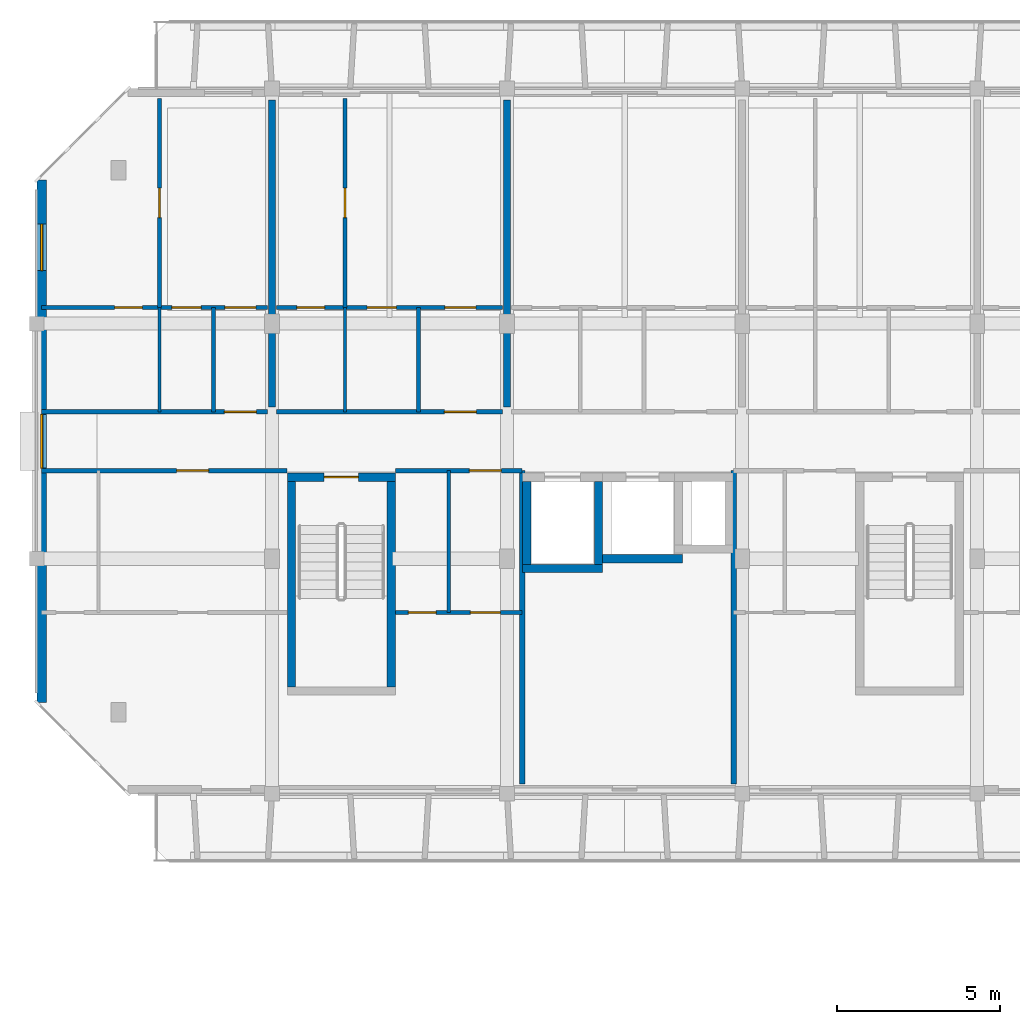
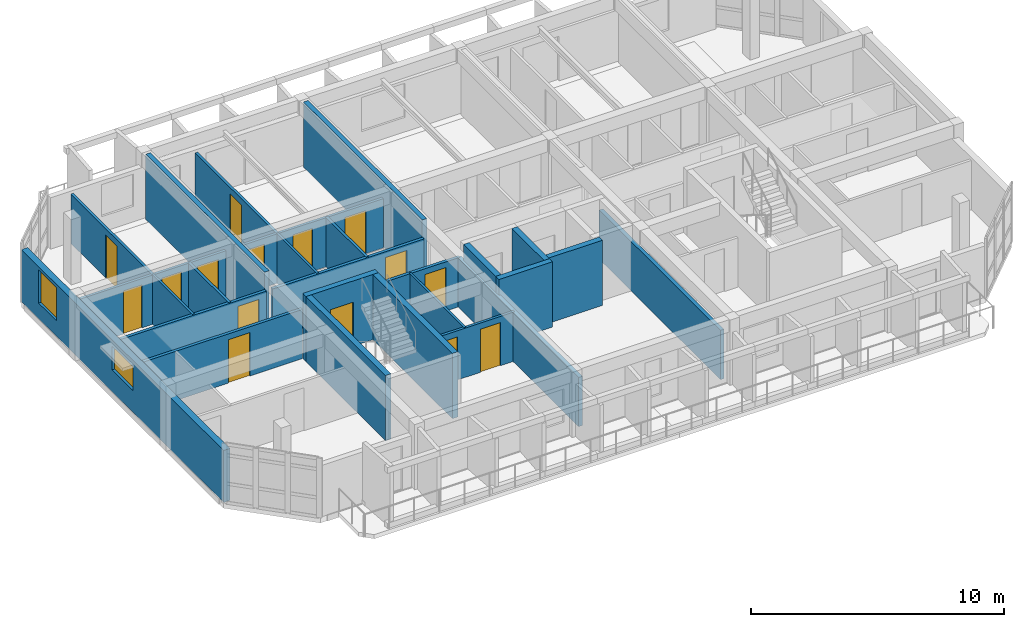
# One storey, part 12 of 22: 26 walls, 15 doors, 2 windows, 17 openings.
"""IFC4 building model written with IfcOpenShell, lengths in metres."""

import ifcopenshell
import ifcopenshell.guid

model = None  # the IFC model being written
_history = None  # IfcOwnerHistory: only IFC2X3 demands one
_inside = {}  # id of a spatial element -> (the spatial element, [elements in it])
_under = {}  # id of a project, library or spatial element -> (it, [spatial elements below it])
_declared = {}  # id of a project -> (the project, [libraries it declares])
_typed = {}  # id of a type object -> (the type object, [elements of that type])
_made_of = {}  # id of a material, layer set ... -> (it, [elements and type objects made of it])


def new_model(schema):
    """Start an empty IFC model of exactly this schema.

    Asked for "IFC4X3", IfcOpenShell would pick the latest addendum, in which some entities
    have other attributes; the version numbers below select the first issue.
    IFC2X3 requires an IfcOwnerHistory on every rooted entity: one is made here for all.
    """
    global model, _history
    if schema == "IFC4X3":
        model = ifcopenshell.file(schema_version=(4, 3, 0, 0))
    else:
        model = ifcopenshell.file(schema=schema)
    _inside.clear()
    _under.clear()
    _declared.clear()
    _typed.clear()
    _made_of.clear()
    _history = None
    if model.schema == "IFC2X3":
        org = make("IfcOrganization", Name="unknown")
        user = make(
            "IfcPersonAndOrganization",
            ThePerson=make("IfcPerson", FamilyName="unknown"),
            TheOrganization=org,
        )
        app = make(
            "IfcApplication",
            ApplicationDeveloper=org,
            Version="unknown",
            ApplicationFullName="unknown",
            ApplicationIdentifier="unknown",
        )
        _history = make(
            "IfcOwnerHistory",
            OwningUser=user,
            OwningApplication=app,
            ChangeAction="ADDED",
            CreationDate=0,
        )
    return model


def make(cls, **values):
    """One entity of the class cls with the attributes given. An attribute that is None is left unset."""
    return model.create_entity(
        cls, **{name: value for name, value in values.items() if value is not None}
    )


def rooted(cls, **values):
    """An entity with a GlobalId (a new one), such as an element, a storey or a relation."""
    return make(cls, GlobalId=ifcopenshell.guid.new(), OwnerHistory=_history, **values)


def si_unit(unit_type, name, prefix=None):
    """IfcSIUnit, for example si_unit("LENGTHUNIT", "METRE", prefix="MILLI")."""
    return make("IfcSIUnit", UnitType=unit_type, Prefix=prefix, Name=name)


def assignment(units):
    """IfcUnitAssignment: the units of a project."""
    return None if units is None else make("IfcUnitAssignment", Units=units)


def point(xyz):
    """IfcCartesianPoint."""
    return None if xyz is None else make("IfcCartesianPoint", Coordinates=xyz)


def direction(xyz):
    """IfcDirection."""
    return None if xyz is None else make("IfcDirection", DirectionRatios=xyz)


def frame(location, z_axis=None, x_axis=None):
    """IfcAxis2Placement3D, a coordinate frame: its origin and axes. An axis left out is left unset."""
    return make(
        "IfcAxis2Placement3D",
        Location=point(location),
        Axis=direction(z_axis),
        RefDirection=direction(x_axis),
    )


def frame_2d(location, x_axis=None):
    """IfcAxis2Placement2D, a coordinate frame in the plane: its origin and x axis."""
    return make(
        "IfcAxis2Placement2D", Location=point(location), RefDirection=direction(x_axis)
    )


def origin():
    """The frame at (0, 0, 0) with its axes left unset."""
    return frame((0.0, 0.0, 0.0))


def place(relative_to, where):
    """IfcLocalPlacement: puts the frame where relative to a parent placement (None: the world)."""
    return make(
        "IfcLocalPlacement", PlacementRelTo=relative_to, RelativePlacement=where
    )


def context(
    kind, dimensions, precision=None, world=None, true_north=None, identifier=None
):
    """IfcGeometricRepresentationContext, for example the 3D "Model" context."""
    return make(
        "IfcGeometricRepresentationContext",
        ContextIdentifier=identifier,
        ContextType=kind,
        CoordinateSpaceDimension=dimensions,
        Precision=precision,
        WorldCoordinateSystem=world,
        TrueNorth=true_north,
    )


def subcontext(parent, identifier, kind, view, scale=None):
    """IfcGeometricRepresentationSubContext, for example "Body" below "Model"."""
    return make(
        "IfcGeometricRepresentationSubContext",
        ContextIdentifier=identifier,
        ContextType=kind,
        ParentContext=parent,
        TargetScale=scale,
        TargetView=view,
    )


def project(units=None, contexts=None):
    """IfcProject with its units and contexts."""
    return rooted(
        "IfcProject",
        Name="project",
        RepresentationContexts=contexts,
        UnitsInContext=assignment(units),
    )


def spatial(cls, under=None, at=None, **own):
    """A site, building, storey or space (cls), placed at a placement, below another one or the project."""
    s = rooted(cls, ObjectPlacement=at, **own)
    if under is not None:
        _under.setdefault(under.id(), (under, []))[1].append(s)
    return s


def profile(cls, at=None, kind="AREA", **sizes):
    """A parametric profile (cls). Its sizes go by their IFC names, for example OverallWidth=200.0."""
    return make(cls, ProfileType=kind, Position=at, **sizes)


def rectangle(**sizes):
    """IfcRectangleProfileDef."""
    return profile("IfcRectangleProfileDef", **sizes)


def extrude(swept, where, along, depth):
    """IfcExtrudedAreaSolid: the profile swept, set in the frame where, extruded along a direction by depth."""
    return make(
        "IfcExtrudedAreaSolid",
        SweptArea=swept,
        Position=where,
        ExtrudedDirection=direction(along),
        Depth=depth,
    )


def shape(context_of_items, identifier, shape_type, items):
    """IfcShapeRepresentation: the items that make up one representation, for example the "Body"."""
    return make(
        "IfcShapeRepresentation",
        ContextOfItems=context_of_items,
        RepresentationIdentifier=identifier,
        RepresentationType=shape_type,
        Items=items,
    )


def material(Name=None, Category=None):
    """IfcMaterial."""
    return make("IfcMaterial", Name=Name, Category=Category)


def layer(
    of_material, thickness, ventilated=None, Name=None, Category=None, Priority=None
):
    """IfcMaterialLayer: one layer of a wall or slab, of a material (None: an air gap)."""
    return make(
        "IfcMaterialLayer",
        Material=of_material,
        LayerThickness=thickness,
        IsVentilated=ventilated,
        Name=Name,
        Category=Category,
        Priority=Priority,
    )


def layer_set(layers, Name=None):
    """IfcMaterialLayerSet."""
    return make("IfcMaterialLayerSet", MaterialLayers=layers, LayerSetName=Name)


def made_of(thing, what):
    """Note that an element or type object is made of a material, layer set ...; save() writes the relation."""
    if what is not None:
        _made_of.setdefault(what.id(), (what, []))[1].append(thing)
    return thing


def type_object(cls, material=None, **own):
    """A type object (cls), such as IfcWallType, which elements share."""
    return made_of(rooted(cls, **own), material)


def element(
    cls,
    number,
    at=None,
    inside=None,
    cuts=None,
    type_object=None,
    material=None,
    context=None,
    identifier="Body",
    shape_type=None,
    held_by="IfcProductDefinitionShape",
    body=None,
    shapes=None,
    **own,
):
    """One element of the class cls, such as IfcWall. Its Tag is "e" and its number.

    at: its placement. inside: the storey or other place that contains it. cuts: it is an
    opening in that element (IfcRelVoidsElement). A single representation is given by context,
    identifier, shape_type and body (its items); several are given by shapes. held_by: the class
    of the entity that holds the representations. save() writes the other relations.
    """
    e = rooted(cls, Tag="e%d" % number, ObjectPlacement=at, **own)
    if body is not None:
        shapes = [shape(context, identifier, shape_type, body)]
    if shapes is not None:
        e.Representation = make(held_by, Representations=shapes)
    if inside is not None:
        _inside.setdefault(inside.id(), (inside, []))[1].append(e)
    if cuts is not None:
        rooted(
            "IfcRelVoidsElement", RelatingBuildingElement=cuts, RelatedOpeningElement=e
        )
    if type_object is not None:
        _typed.setdefault(type_object.id(), (type_object, []))[1].append(e)
    return made_of(e, material)


def fill(opening, filler):
    """IfcRelFillsElement: the door or window that sits in an opening."""
    return rooted(
        "IfcRelFillsElement",
        RelatingOpeningElement=opening,
        RelatedBuildingElement=filler,
    )


def aggregate(whole, parts):
    """IfcRelAggregates: a whole, such as a stair, and the parts it consists of."""
    return rooted("IfcRelAggregates", RelatingObject=whole, RelatedObjects=parts)


def save(model, path):
    """Write the relations noted so far, then the file.

    IfcRelAggregates (storeys below a building ...), IfcRelContainedInSpatialStructure (elements
    in a storey), IfcRelDefinesByType, IfcRelAssociatesMaterial and IfcRelDeclares: one each for
    every whole, place, type object, material and project.
    """
    for whole, parts in _under.values():
        aggregate(whole, parts)
    for where, things in _inside.values():
        rooted(
            "IfcRelContainedInSpatialStructure",
            RelatedElements=things,
            RelatingStructure=where,
        )
    for kind, things in _typed.values():
        rooted("IfcRelDefinesByType", RelatedObjects=things, RelatingType=kind)
    for what, things in _made_of.values():
        rooted("IfcRelAssociatesMaterial", RelatedObjects=things, RelatingMaterial=what)
    for by, libraries in _declared.values():
        rooted("IfcRelDeclares", RelatingContext=by, RelatedDefinitions=libraries)
    model.write(path)


model = new_model("IFC4")

# Units and contexts
model_context = context("Model", 3, precision=1e-05, world=origin(), true_north=direction((0.0, 1.0)))
body_context = subcontext(model_context, "Body", "Model", "MODEL_VIEW")
ifc_project = project(units=[si_unit("LENGTHUNIT", "METRE"), si_unit("AREAUNIT", "SQUARE_METRE"), si_unit("VOLUMEUNIT", "CUBIC_METRE"), si_unit("PLANEANGLEUNIT", "RADIAN"), si_unit("MASSUNIT", "GRAM", prefix="KILO")], contexts=[model_context])

# Site, building, storey
site_placement = place(None, origin())
site = spatial("IfcSite", under=ifc_project, at=site_placement, CompositionType="ELEMENT")
building_placement = place(site_placement, origin())
building = spatial("IfcBuilding", under=site, at=building_placement, Name="Ochrevale Crest", CompositionType="ELEMENT")
storey_placement = place(building_placement, frame((0.0, 0.0, 40.199951171875)))
storey = spatial("IfcBuildingStorey", under=building, at=storey_placement, Name="L12", CompositionType="ELEMENT", Elevation=40.199951171875)

# Wall, opening, door
ifc_material_1 = material(Name="Gypsum plasterboard", Category="gypsum")
ifc_layer_1 = layer(ifc_material_1, 0.139892578125)
ifc_layer_set_1 = layer_set([ifc_layer_1], Name="Gypsum plasterboard")
wall_type_1 = type_object("IfcWallType", Name="WL-COR-140", PredefinedType="PARTITIONING", material=ifc_layer_set_1)
wall_1_placement = place(storey_placement, frame((129.739990234375, 83.699951171875, 0.0), z_axis=(0.0, 0.0, 1.0), x_axis=(1.0, 0.0, 0.0)))
wall_1 = element("IfcWall", 1, at=wall_1_placement, inside=storey, type_object=wall_type_1, Name="Apartment D-L12-U1 corridor wall", PredefinedType="PARTITIONING", context=body_context, shape_type="SweptSolid", body=[
    extrude(rectangle(XDim=6.919921875, YDim=0.139892578125, at=frame_2d((3.4599609375, 0.0))), origin(), (0.0, 0.0, 1.0), 2.380126953125),
])
opening_1_placement = place(wall_1_placement, frame((5.60498046875, 0.0, 0.0)))
opening_1 = element("IfcOpeningElement", 2, at=opening_1_placement, cuts=wall_1, Name="Opening FD01", PredefinedType="OPENING", context=body_context, shape_type="SweptSolid", body=[
    extrude(rectangle(XDim=0.97998046875, YDim=2.10009765625, at=frame_2d((0.489990234375, 1.050048828125))), frame((0.0, 0.080078125, 0.0), z_axis=(0.0, -1.0, 0.0), x_axis=(1.0, 0.0, 0.0)), (0.0, 0.0, 1.0), 0.159912109375),
])
ifc_material_2 = material(Name="Solid-core FSC hardwood", Category="wood")
door_type_1 = type_object("IfcDoorType", Name="DR-APT-950", OperationType="NOTDEFINED", PredefinedType="DOOR", material=ifc_material_2)
door_1_placement = place(opening_1_placement, origin())
door_1 = element("IfcDoor", 3, at=door_1_placement, inside=storey, type_object=door_type_1, Name="Apartment D-L12-U1 entrance door", OperationType="SINGLE_SWING_LEFT", OverallHeight=2.10009765625, OverallWidth=0.97998046875, PredefinedType="DOOR", context=body_context, shape_type="SweptSolid", body=[
    extrude(rectangle(XDim=0.97998046875, YDim=2.10009765625, at=frame_2d((0.489990234375, 1.050048828125))), frame((0.0, 0.02490234375, 0.0), z_axis=(0.0, -1.0, 0.0), x_axis=(1.0, 0.0, 0.0)), (0.0, 0.0, 1.0), 0.050048828125),
])
fill(opening_1, door_1)

wall_2_placement = place(storey_placement, frame((136.93994140625, 83.699951171875, 0.0), z_axis=(0.0, 0.0, 1.0), x_axis=(1.0, 0.0, 0.0)))
wall_2 = element("IfcWall", 4, at=wall_2_placement, inside=storey, type_object=wall_type_1, Name="Apartment D-L12-U2 corridor wall", PredefinedType="PARTITIONING", context=body_context, shape_type="SweptSolid", body=[
    extrude(rectangle(XDim=6.920166015625, YDim=0.139892578125, at=frame_2d((3.4599609375, 0.0))), origin(), (0.0, 0.0, 1.0), 2.380126953125),
])
opening_2_placement = place(wall_2_placement, frame((6.125, 0.0, 0.0), z_axis=(0.0, 0.0, 1.0), x_axis=(-1.0, 0.0, 0.0)))
opening_2 = element("IfcOpeningElement", 5, at=opening_2_placement, cuts=wall_2, Name="Opening FD01", PredefinedType="OPENING", context=body_context, shape_type="SweptSolid", body=[
    extrude(rectangle(XDim=0.97998046875, YDim=2.10009765625, at=frame_2d((0.489990234375, 1.050048828125))), frame((0.0, 0.080078125, 0.0), z_axis=(0.0, -1.0, 0.0), x_axis=(1.0, 0.0, 0.0)), (0.0, 0.0, 1.0), 0.159912109375),
])
door_2_placement = place(opening_2_placement, origin())
door_2 = element("IfcDoor", 6, at=door_2_placement, inside=storey, type_object=door_type_1, Name="Apartment D-L12-U2 entrance door", OperationType="SINGLE_SWING_RIGHT", OverallHeight=2.10009765625, OverallWidth=0.97998046875, PredefinedType="DOOR", context=body_context, shape_type="SweptSolid", body=[
    extrude(rectangle(XDim=0.97998046875, YDim=2.10009765625, at=frame_2d((0.489990234375, 1.050048828125))), frame((0.0, 0.02490234375, 0.0), z_axis=(0.0, -1.0, 0.0), x_axis=(1.0, 0.0, 0.0)), (0.0, 0.0, 1.0), 0.050048828125),
])
fill(opening_2, door_2)

wall_3_placement = place(storey_placement, frame((129.739990234375, 81.89990234375, 0.0), z_axis=(0.0, 0.0, 1.0), x_axis=(1.0, 0.0, 0.0)))
wall_3 = element("IfcWall", 7, at=wall_3_placement, inside=storey, type_object=wall_type_1, Name="Suite D-L12-CW corridor wall", PredefinedType="PARTITIONING", context=body_context, shape_type="SweptSolid", body=[
    extrude(rectangle(XDim=7.52001953125, YDim=0.139892578125, at=frame_2d((3.760009765625, 0.0))), origin(), (0.0, 0.0, 1.0), 2.380126953125),
])
opening_3_placement = place(wall_3_placement, frame((5.125, 0.0, 0.0), z_axis=(0.0, 0.0, 1.0), x_axis=(-1.0, 0.0, 0.0)))
opening_3 = element("IfcOpeningElement", 8, at=opening_3_placement, cuts=wall_3, Name="Opening FD01", PredefinedType="OPENING", context=body_context, shape_type="SweptSolid", body=[
    extrude(rectangle(XDim=0.97998046875, YDim=2.10009765625, at=frame_2d((0.489990234375, 1.050048828125))), frame((0.0, 0.080078125, 0.0), z_axis=(0.0, -1.0, 0.0), x_axis=(1.0, 0.0, 0.0)), (0.0, 0.0, 1.0), 0.159912109375),
])
door_3_placement = place(opening_3_placement, origin())
door_3 = element("IfcDoor", 9, at=door_3_placement, inside=storey, type_object=door_type_1, Name="Suite D-L12-CW entrance door", OperationType="SINGLE_SWING_RIGHT", OverallHeight=2.10009765625, OverallWidth=0.97998046875, PredefinedType="DOOR", context=body_context, shape_type="SweptSolid", body=[
    extrude(rectangle(XDim=0.97998046875, YDim=2.10009765625, at=frame_2d((0.489990234375, 1.050048828125))), frame((0.0, 0.02490234375, 0.0), z_axis=(0.0, -1.0, 0.0), x_axis=(1.0, 0.0, 0.0)), (0.0, 0.0, 1.0), 0.050048828125),
])
fill(opening_3, door_3)

wall_4_placement = place(storey_placement, frame((140.590087890625, 81.89990234375, 0.0), z_axis=(0.0, 0.0, 1.0), x_axis=(1.0, 0.0, 0.0)))
wall_4 = element("IfcWall", 10, at=wall_4_placement, inside=storey, type_object=wall_type_1, Name="Suite D-L12-MW corridor wall", PredefinedType="PARTITIONING", context=body_context, shape_type="SweptSolid", body=[
    extrude(rectangle(XDim=3.869873046875, YDim=0.139892578125, at=frame_2d((1.93505859375, 0.0))), origin(), (0.0, 0.0, 1.0), 2.380126953125),
])
opening_4_placement = place(wall_4_placement, frame((2.2578125, 0.0, 0.0)))
opening_4 = element("IfcOpeningElement", 11, at=opening_4_placement, cuts=wall_4, Name="Opening FD01", PredefinedType="OPENING", context=body_context, shape_type="SweptSolid", body=[
    extrude(rectangle(XDim=0.97998046875, YDim=2.10009765625, at=frame_2d((0.489990234375, 1.050048828125))), frame((0.0, 0.080078125, 0.0), z_axis=(0.0, -1.0, 0.0), x_axis=(1.0, 0.0, 0.0)), (0.0, 0.0, 1.0), 0.159912109375),
])
door_4_placement = place(opening_4_placement, origin())
door_4 = element("IfcDoor", 12, at=door_4_placement, inside=storey, type_object=door_type_1, Name="Suite D-L12-MW entrance door", OperationType="SINGLE_SWING_LEFT", OverallHeight=2.10009765625, OverallWidth=0.97998046875, PredefinedType="DOOR", context=body_context, shape_type="SweptSolid", body=[
    extrude(rectangle(XDim=0.97998046875, YDim=2.10009765625, at=frame_2d((0.489990234375, 1.050048828125))), frame((0.0, 0.02490234375, 0.0), z_axis=(0.0, -1.0, 0.0), x_axis=(1.0, 0.0, 0.0)), (0.0, 0.0, 1.0), 0.050048828125),
])
fill(opening_4, door_4)

ifc_material_3 = material(Name="Precast concrete C50/60", Category="concrete")
ifc_layer_2 = layer(ifc_material_3, 0.2548828125)
ifc_layer_set_2 = layer_set([ifc_layer_2], Name="Precast concrete C50/60")
wall_type_2 = type_object("IfcWallType", Name="WL-CORE-255", PredefinedType="SHEAR", material=ifc_layer_set_2)
wall_5_placement = place(storey_placement, frame((137.2724609375, 81.699951171875, 0.0), z_axis=(0.0, 0.0, 1.0), x_axis=(1.0, 0.0, 0.0)))
wall_5 = element("IfcWall", 13, at=wall_5_placement, inside=storey, type_object=wall_type_2, Name="Block D L12 Stair 1 precast core shear wall N", PredefinedType="SHEAR", context=body_context, shape_type="SweptSolid", body=[
    extrude(rectangle(XDim=3.304931640625, YDim=0.2548828125, at=frame_2d((1.65234375, 0.0))), origin(), (0.0, 0.0, 1.0), 3.150146484375),
])
opening_5_placement = place(wall_5_placement, frame((2.177490234375, 0.0, 0.0), z_axis=(0.0, 0.0, 1.0), x_axis=(-1.0, 0.0, 0.0)))
opening_5 = element("IfcOpeningElement", 14, at=opening_5_placement, cuts=wall_5, Name="Opening FD03", PredefinedType="OPENING", context=body_context, shape_type="SweptSolid", body=[
    extrude(rectangle(XDim=1.050048828125, YDim=2.1201171875, at=frame_2d((0.52490234375, 1.06005859375))), frame((0.0, 0.137451171875, 0.0), z_axis=(0.0, -1.0, 0.0), x_axis=(1.0, 0.0, 0.0)), (0.0, 0.0, 1.0), 0.27490234375),
])
door_type_2 = type_object("IfcDoorType", Name="DR-ST-1050", OperationType="NOTDEFINED", PredefinedType="DOOR", material=ifc_material_2)
door_5_placement = place(opening_5_placement, origin())
door_5 = element("IfcDoor", 15, at=door_5_placement, inside=storey, type_object=door_type_2, Name="Block D L12 fire stair 1 door", OperationType="SINGLE_SWING_RIGHT", OverallHeight=2.1201171875, OverallWidth=1.050048828125, PredefinedType="DOOR", context=body_context, shape_type="SweptSolid", body=[
    extrude(rectangle(XDim=1.050048828125, YDim=2.1201171875, at=frame_2d((0.52490234375, 1.06005859375))), frame((0.0, 0.02490234375, 0.0), z_axis=(0.0, -1.0, 0.0), x_axis=(1.0, 0.0, 0.0)), (0.0, 0.0, 1.0), 0.050048828125),
])
fill(opening_5, door_5)

# Walls
for number, where, z_axis, x_axis, name in (
    (16, (137.39990234375, 75.277587890625, 0.0), (0.0, 0.0, 1.0), (0.0, 1.0, 0.0), "Block D L12 Stair 1 precast core shear wall W"),
    (17, (140.449951171875, 75.277587890625, 0.0), (0.0, 0.0, 1.0), (0.0, 1.0, 0.0), "Block D L12 Stair 1 precast core shear wall E"),
):
    element("IfcWall", number, at=place(storey_placement, frame(where, z_axis=z_axis, x_axis=x_axis)), inside=storey, type_object=wall_type_2, Name=name, PredefinedType="SHEAR", context=body_context, shape_type="SweptSolid", body=[
        extrude(rectangle(XDim=6.294921875, YDim=0.2548828125, at=frame_2d((3.1474609375, 0.0))), origin(), (0.0, 0.0, 1.0), 3.150146484375),
    ])
wall_6_placement = place(storey_placement, frame((144.472412109375, 78.89990234375, 0.0), z_axis=(0.0, 0.0, 1.0), x_axis=(1.0, 0.0, 0.0)))
element("IfcWall", 18, at=wall_6_placement, inside=storey, type_object=wall_type_2, Name="Block D L12 Lift 1 precast shaft shear wall S", PredefinedType="SHEAR", context=body_context, shape_type="SweptSolid", body=[
    extrude(rectangle(XDim=2.455078125, YDim=0.2548828125, at=frame_2d((1.2275390625, 0.0))), origin(), (0.0, 0.0, 1.0), 3.150146484375),
])
for number, where, z_axis, x_axis, name in (
    (19, (144.60009765625, 79.027587890625, 0.0), (0.0, 0.0, 1.0), (0.0, 1.0, 0.0), "Block D L12 Lift 1 precast shaft shear wall W"),
    (20, (146.800048828125, 79.027587890625, 0.0), (0.0, 0.0, 1.0), (0.0, 1.0, 0.0), "Block D L12 Lift 1 precast shaft shear wall E"),
):
    element("IfcWall", number, at=place(storey_placement, frame(where, z_axis=z_axis, x_axis=x_axis)), inside=storey, type_object=wall_type_2, Name=name, PredefinedType="SHEAR", context=body_context, shape_type="SweptSolid", body=[
        extrude(rectangle(XDim=2.544921875, YDim=0.2548828125, at=frame_2d((1.2724609375, 0.0))), origin(), (0.0, 0.0, 1.0), 3.150146484375),
    ])
wall_7_placement = place(storey_placement, frame((146.922607421875, 79.199951171875, 0.0), z_axis=(0.0, 0.0, 1.0), x_axis=(1.0, 0.0, 0.0)))
element("IfcWall", 21, at=wall_7_placement, inside=storey, type_object=wall_type_2, Name="Block D L12 Lift 2 precast shaft shear wall S", PredefinedType="SHEAR", context=body_context, shape_type="SweptSolid", body=[
    extrude(rectangle(XDim=2.454833984375, YDim=0.2548828125, at=frame_2d((1.2275390625, 0.0))), origin(), (0.0, 0.0, 1.0), 3.150146484375),
])

# Wall, openings, windows
ifc_material_4 = material(Name="Clay face brickwork", Category="masonry")
ifc_layer_3 = layer(ifc_material_4, 0.2900390625)
ifc_layer_set_3 = layer_set([ifc_layer_3], Name="Clay face brickwork")
wall_type_3 = type_object("IfcWallType", Name="WL-EXT-BRICK-290", PredefinedType="SOLIDWALL", material=ifc_layer_set_3)
wall_8_placement = place(storey_placement, frame((129.7451171875, 90.800048828125, 0.0), z_axis=(0.0, 0.0, 1.0), x_axis=(0.0, -1.0, 0.0)))
wall_8 = element("IfcWall", 22, at=wall_8_placement, inside=storey, type_object=wall_type_3, Name="Block D L12 external facade wall E7", PredefinedType="SOLIDWALL", context=body_context, shape_type="SweptSolid", body=[
    extrude(rectangle(XDim=16.0, YDim=0.2900390625, at=frame_2d((8.0, 0.0))), origin(), (0.0, 0.0, 1.0), 2.510009765625),
])
opening_6_placement = place(wall_8_placement, frame((7.175048828125, 0.0, 1.050048828125)))
opening_6 = element("IfcOpeningElement", 23, at=opening_6_placement, cuts=wall_8, Name="Opening W19", PredefinedType="OPENING", context=body_context, shape_type="SweptSolid", body=[
    extrude(rectangle(XDim=1.64990234375, YDim=1.14990234375, at=frame_2d((0.824951171875, 0.574951171875))), frame((0.0, 0.155029296875, 0.0), z_axis=(0.0, -1.0, 0.0), x_axis=(1.0, 0.0, 0.0)), (0.0, 0.0, 1.0), 0.31005859375),
])
opening_7_placement = place(wall_8_placement, frame((1.35498046875, 0.0, 0.75)))
opening_7 = element("IfcOpeningElement", 24, at=opening_7_placement, cuts=wall_8, Name="Opening W31", PredefinedType="OPENING", context=body_context, shape_type="SweptSolid", body=[
    extrude(rectangle(XDim=1.419921875, YDim=1.60009765625, at=frame_2d((0.7099609375, 0.800048828125))), frame((0.0, 0.155029296875, 0.0), z_axis=(0.0, -1.0, 0.0), x_axis=(1.0, 0.0, 0.0)), (0.0, 0.0, 1.0), 0.31005859375),
])
ifc_material_5 = material(Name="Anodised aluminium 6063-T5 and low-E double glazing", Category="aluminium")
window_type_1 = type_object("IfcWindowType", Name="WIN-W19", PartitioningType="SINGLE_PANEL", PredefinedType="WINDOW", material=ifc_material_5)
window_1_placement = place(opening_6_placement, origin())
window_1 = element("IfcWindow", 25, at=window_1_placement, inside=storey, type_object=window_type_1, Name="Block D L12 corridor end daylight window W", OverallHeight=1.14990234375, OverallWidth=1.64990234375, PartitioningType="SINGLE_PANEL", PredefinedType="WINDOW", context=body_context, shape_type="SweptSolid", body=[
    extrude(rectangle(XDim=1.64990234375, YDim=1.14990234375, at=frame_2d((0.824951171875, 0.574951171875))), frame((0.0, 0.030029296875, 0.0), z_axis=(0.0, -1.0, 0.0), x_axis=(1.0, 0.0, 0.0)), (0.0, 0.0, 1.0), 0.06005859375),
])
fill(opening_6, window_1)
window_type_2 = type_object("IfcWindowType", Name="WIN-W31", PartitioningType="SINGLE_PANEL", PredefinedType="WINDOW", material=ifc_material_5)
window_2_placement = place(opening_7_placement, origin())
window_2 = element("IfcWindow", 26, at=window_2_placement, inside=storey, type_object=window_type_2, Name="Block D L12 side suite window W", OverallHeight=1.60009765625, OverallWidth=1.419921875, PartitioningType="SINGLE_PANEL", PredefinedType="WINDOW", context=body_context, shape_type="SweptSolid", body=[
    extrude(rectangle(XDim=1.419921875, YDim=1.60009765625, at=frame_2d((0.7099609375, 0.800048828125))), frame((0.0, 0.030029296875, 0.0), z_axis=(0.0, -1.0, 0.0), x_axis=(1.0, 0.0, 0.0)), (0.0, 0.0, 1.0), 0.06005859375),
])
fill(opening_7, window_2)

# Wall
ifc_layer_4 = layer(ifc_material_1, 0.1201171875)
ifc_layer_set_4 = layer_set([ifc_layer_4], Name="Gypsum plasterboard")
wall_type_4 = type_object("IfcWallType", Name="WL-PART-120", PredefinedType="PARTITIONING", material=ifc_layer_set_4)
wall_9_placement = place(storey_placement, frame((135.010009765625, 83.699951171875, 0.0), z_axis=(0.0, 0.0, 1.0), x_axis=(0.0, 1.0, 0.0)))
element("IfcWall", 27, at=wall_9_placement, inside=storey, type_object=wall_type_4, Name="Apartment D-L12-U1 kitchen-foyer wall", PredefinedType="PARTITIONING", context=body_context, shape_type="SweptSolid", body=[
    extrude(rectangle(XDim=3.199951171875, YDim=0.1201171875, at=frame_2d((1.60009765625, 0.0))), origin(), (0.0, 0.0, 1.0), 2.380126953125),
])

# Wall, openings, doors
wall_10_placement = place(storey_placement, frame((129.739990234375, 86.89990234375, 0.0), z_axis=(0.0, 0.0, 1.0), x_axis=(1.0, 0.0, 0.0)))
wall_10 = element("IfcWall", 28, at=wall_10_placement, inside=storey, type_object=wall_type_4, Name="Apartment D-L12-U1 central partition", PredefinedType="PARTITIONING", context=body_context, shape_type="SweptSolid", body=[
    extrude(rectangle(XDim=6.919921875, YDim=0.1201171875, at=frame_2d((3.4599609375, 0.0))), origin(), (0.0, 0.0, 1.0), 2.380126953125),
])
opening_8_placement = place(wall_10_placement, frame((3.090087890625, 0.0, 0.0), z_axis=(0.0, 0.0, 1.0), x_axis=(-1.0, 0.0, 0.0)))
opening_8 = element("IfcOpeningElement", 29, at=opening_8_placement, cuts=wall_10, Name="Opening ID01", PredefinedType="OPENING", context=body_context, shape_type="SweptSolid", body=[
    extrude(rectangle(XDim=0.85009765625, YDim=2.080078125, at=frame_2d((0.425048828125, 1.0400390625))), frame((0.0, 0.070068359375, 0.0), z_axis=(0.0, -1.0, 0.0), x_axis=(1.0, 0.0, 0.0)), (0.0, 0.0, 1.0), 0.14013671875),
])
opening_9_placement = place(wall_10_placement, frame((3.9951171875, 0.0, 0.0)))
opening_9 = element("IfcOpeningElement", 30, at=opening_9_placement, cuts=wall_10, Name="Opening ID02", PredefinedType="OPENING", context=body_context, shape_type="SweptSolid", body=[
    extrude(rectangle(XDim=0.89990234375, YDim=2.080078125, at=frame_2d((0.449951171875, 1.0400390625))), frame((0.0, 0.070068359375, 0.0), z_axis=(0.0, -1.0, 0.0), x_axis=(1.0, 0.0, 0.0)), (0.0, 0.0, 1.0), 0.14013671875),
])
opening_10_placement = place(wall_10_placement, frame((6.570068359375, 0.0, 0.0), z_axis=(0.0, 0.0, 1.0), x_axis=(-1.0, 0.0, 0.0)))
opening_10 = element("IfcOpeningElement", 31, at=opening_10_placement, cuts=wall_10, Name="Opening ID06", PredefinedType="OPENING", context=body_context, shape_type="SweptSolid", body=[
    extrude(rectangle(XDim=0.949951171875, YDim=2.080078125, at=frame_2d((0.47509765625, 1.0400390625))), frame((0.0, 0.070068359375, 0.0), z_axis=(0.0, -1.0, 0.0), x_axis=(1.0, 0.0, 0.0)), (0.0, 0.0, 1.0), 0.14013671875),
])
door_type_3 = type_object("IfcDoorType", Name="DR-INT-900", OperationType="NOTDEFINED", PredefinedType="DOOR", material=ifc_material_2)
door_6_placement = place(opening_9_placement, origin())
door_6 = element("IfcDoor", 32, at=door_6_placement, inside=storey, type_object=door_type_3, Name="Apartment D-L12-U1 Kitchen door", OperationType="SINGLE_SWING_LEFT", OverallHeight=2.080078125, OverallWidth=0.89990234375, PredefinedType="DOOR", context=body_context, shape_type="SweptSolid", body=[
    extrude(rectangle(XDim=0.89990234375, YDim=2.080078125, at=frame_2d((0.449951171875, 1.0400390625))), frame((0.0, 0.02490234375, 0.0), z_axis=(0.0, -1.0, 0.0), x_axis=(1.0, 0.0, 0.0)), (0.0, 0.0, 1.0), 0.050048828125),
])
fill(opening_9, door_6)
door_type_4 = type_object("IfcDoorType", Name="DR-INT-950", OperationType="NOTDEFINED", PredefinedType="DOOR", material=ifc_material_2)
door_7_placement = place(opening_10_placement, origin())
door_7 = element("IfcDoor", 33, at=door_7_placement, inside=storey, type_object=door_type_4, Name="Apartment D-L12-U1 Living Foyer door", OperationType="SINGLE_SWING_RIGHT", OverallHeight=2.080078125, OverallWidth=0.949951171875, PredefinedType="DOOR", context=body_context, shape_type="SweptSolid", body=[
    extrude(rectangle(XDim=0.949951171875, YDim=2.080078125, at=frame_2d((0.47509765625, 1.0400390625))), frame((0.0, 0.02490234375, 0.0), z_axis=(0.0, -1.0, 0.0), x_axis=(1.0, 0.0, 0.0)), (0.0, 0.0, 1.0), 0.050048828125),
])
fill(opening_10, door_7)
door_type_5 = type_object("IfcDoorType", Name="DR-WC-850", OperationType="NOTDEFINED", PredefinedType="DOOR", material=ifc_material_2)
door_8_placement = place(opening_8_placement, origin())
door_8 = element("IfcDoor", 34, at=door_8_placement, inside=storey, type_object=door_type_5, Name="Apartment D-L12-U1 Bathroom door", OperationType="SINGLE_SWING_RIGHT", OverallHeight=2.080078125, OverallWidth=0.85009765625, PredefinedType="DOOR", context=body_context, shape_type="SweptSolid", body=[
    extrude(rectangle(XDim=0.85009765625, YDim=2.080078125, at=frame_2d((0.425048828125, 1.0400390625))), frame((0.0, 0.02490234375, 0.0), z_axis=(0.0, -1.0, 0.0), x_axis=(1.0, 0.0, 0.0)), (0.0, 0.0, 1.0), 0.050048828125),
])
fill(opening_8, door_8)

# Wall, opening, door
wall_11_placement = place(storey_placement, frame((133.360107421875, 86.89990234375, 0.0), z_axis=(0.0, 0.0, 1.0), x_axis=(0.0, 1.0, 0.0)))
wall_11 = element("IfcWall", 35, at=wall_11_placement, inside=storey, type_object=wall_type_4, Name="Apartment D-L12-U1 bedroom partition", PredefinedType="PARTITIONING", context=body_context, shape_type="SweptSolid", body=[
    extrude(rectangle(XDim=6.400146484375, YDim=0.1201171875, at=frame_2d((3.2001953125, 0.0))), origin(), (0.0, 0.0, 1.0), 2.380126953125),
])
opening_11_placement = place(wall_11_placement, frame((2.75, 0.0, 0.0)))
opening_11 = element("IfcOpeningElement", 36, at=opening_11_placement, cuts=wall_11, Name="Opening ID02", PredefinedType="OPENING", context=body_context, shape_type="SweptSolid", body=[
    extrude(rectangle(XDim=0.89990234375, YDim=2.080078125, at=frame_2d((0.449951171875, 1.0400390625))), frame((0.0, 0.070068359375, 0.0), z_axis=(0.0, -1.0, 0.0), x_axis=(1.0, 0.0, 0.0)), (0.0, 0.0, 1.0), 0.14013671875),
])
door_9_placement = place(opening_11_placement, origin())
door_9 = element("IfcDoor", 37, at=door_9_placement, inside=storey, type_object=door_type_3, Name="Apartment D-L12-U1 Master Bedroom door", OperationType="SINGLE_SWING_LEFT", OverallHeight=2.080078125, OverallWidth=0.89990234375, PredefinedType="DOOR", context=body_context, shape_type="SweptSolid", body=[
    extrude(rectangle(XDim=0.89990234375, YDim=2.080078125, at=frame_2d((0.449951171875, 1.0400390625))), frame((0.0, 0.02490234375, 0.0), z_axis=(0.0, -1.0, 0.0), x_axis=(1.0, 0.0, 0.0)), (0.0, 0.0, 1.0), 0.050048828125),
])
fill(opening_11, door_9)

# Wall
wall_12_placement = place(storey_placement, frame((141.2900390625, 83.699951171875, 0.0), z_axis=(0.0, 0.0, 1.0), x_axis=(0.0, 1.0, 0.0)))
element("IfcWall", 38, at=wall_12_placement, inside=storey, type_object=wall_type_4, Name="Apartment D-L12-U2 kitchen-foyer wall", PredefinedType="PARTITIONING", context=body_context, shape_type="SweptSolid", body=[
    extrude(rectangle(XDim=3.199951171875, YDim=0.1201171875, at=frame_2d((1.60009765625, 0.0))), origin(), (0.0, 0.0, 1.0), 2.380126953125),
])

# Wall, openings, doors
wall_13_placement = place(storey_placement, frame((136.93994140625, 86.89990234375, 0.0), z_axis=(0.0, 0.0, 1.0), x_axis=(1.0, 0.0, 0.0)))
wall_13 = element("IfcWall", 39, at=wall_13_placement, inside=storey, type_object=wall_type_4, Name="Apartment D-L12-U2 central partition", PredefinedType="PARTITIONING", context=body_context, shape_type="SweptSolid", body=[
    extrude(rectangle(XDim=6.920166015625, YDim=0.1201171875, at=frame_2d((3.4599609375, 0.0))), origin(), (0.0, 0.0, 1.0), 2.380126953125),
])
opening_12_placement = place(wall_13_placement, frame((0.625, 0.0, 0.0)))
opening_12 = element("IfcOpeningElement", 40, at=opening_12_placement, cuts=wall_13, Name="Opening ID01", PredefinedType="OPENING", context=body_context, shape_type="SweptSolid", body=[
    extrude(rectangle(XDim=0.85009765625, YDim=2.080078125, at=frame_2d((0.425048828125, 1.0400390625))), frame((0.0, 0.070068359375, 0.0), z_axis=(0.0, -1.0, 0.0), x_axis=(1.0, 0.0, 0.0)), (0.0, 0.0, 1.0), 0.14013671875),
])
opening_13_placement = place(wall_13_placement, frame((3.6748046875, 0.0, 0.0), z_axis=(0.0, 0.0, 1.0), x_axis=(-1.0, 0.0, 0.0)))
opening_13 = element("IfcOpeningElement", 41, at=opening_13_placement, cuts=wall_13, Name="Opening ID02", PredefinedType="OPENING", context=body_context, shape_type="SweptSolid", body=[
    extrude(rectangle(XDim=0.89990234375, YDim=2.080078125, at=frame_2d((0.449951171875, 1.0400390625))), frame((0.0, 0.070068359375, 0.0), z_axis=(0.0, -1.0, 0.0), x_axis=(1.0, 0.0, 0.0)), (0.0, 0.0, 1.0), 0.14013671875),
])
opening_14_placement = place(wall_13_placement, frame((5.159912109375, 0.0, 0.0)))
opening_14 = element("IfcOpeningElement", 42, at=opening_14_placement, cuts=wall_13, Name="Opening ID06", PredefinedType="OPENING", context=body_context, shape_type="SweptSolid", body=[
    extrude(rectangle(XDim=0.949951171875, YDim=2.080078125, at=frame_2d((0.47509765625, 1.0400390625))), frame((0.0, 0.070068359375, 0.0), z_axis=(0.0, -1.0, 0.0), x_axis=(1.0, 0.0, 0.0)), (0.0, 0.0, 1.0), 0.14013671875),
])
door_10_placement = place(opening_13_placement, origin())
door_10 = element("IfcDoor", 43, at=door_10_placement, inside=storey, type_object=door_type_3, Name="Apartment D-L12-U2 Kitchen door", OperationType="SINGLE_SWING_RIGHT", OverallHeight=2.080078125, OverallWidth=0.89990234375, PredefinedType="DOOR", context=body_context, shape_type="SweptSolid", body=[
    extrude(rectangle(XDim=0.89990234375, YDim=2.080078125, at=frame_2d((0.449951171875, 1.0400390625))), frame((0.0, 0.02490234375, 0.0), z_axis=(0.0, -1.0, 0.0), x_axis=(1.0, 0.0, 0.0)), (0.0, 0.0, 1.0), 0.050048828125),
])
fill(opening_13, door_10)
door_11_placement = place(opening_14_placement, origin())
door_11 = element("IfcDoor", 44, at=door_11_placement, inside=storey, type_object=door_type_4, Name="Apartment D-L12-U2 Living Foyer door", OperationType="SINGLE_SWING_LEFT", OverallHeight=2.080078125, OverallWidth=0.949951171875, PredefinedType="DOOR", context=body_context, shape_type="SweptSolid", body=[
    extrude(rectangle(XDim=0.949951171875, YDim=2.080078125, at=frame_2d((0.47509765625, 1.0400390625))), frame((0.0, 0.02490234375, 0.0), z_axis=(0.0, -1.0, 0.0), x_axis=(1.0, 0.0, 0.0)), (0.0, 0.0, 1.0), 0.050048828125),
])
fill(opening_14, door_11)
door_12_placement = place(opening_12_placement, origin())
door_12 = element("IfcDoor", 45, at=door_12_placement, inside=storey, type_object=door_type_5, Name="Apartment D-L12-U2 Bathroom door", OperationType="SINGLE_SWING_LEFT", OverallHeight=2.080078125, OverallWidth=0.85009765625, PredefinedType="DOOR", context=body_context, shape_type="SweptSolid", body=[
    extrude(rectangle(XDim=0.85009765625, YDim=2.080078125, at=frame_2d((0.425048828125, 1.0400390625))), frame((0.0, 0.02490234375, 0.0), z_axis=(0.0, -1.0, 0.0), x_axis=(1.0, 0.0, 0.0)), (0.0, 0.0, 1.0), 0.050048828125),
])
fill(opening_12, door_12)

# Wall, opening, door
wall_14_placement = place(storey_placement, frame((139.0400390625, 86.89990234375, 0.0), z_axis=(0.0, 0.0, 1.0), x_axis=(0.0, 1.0, 0.0)))
wall_14 = element("IfcWall", 46, at=wall_14_placement, inside=storey, type_object=wall_type_4, Name="Apartment D-L12-U2 bedroom partition", PredefinedType="PARTITIONING", context=body_context, shape_type="SweptSolid", body=[
    extrude(rectangle(XDim=6.400146484375, YDim=0.1201171875, at=frame_2d((3.2001953125, 0.0))), origin(), (0.0, 0.0, 1.0), 2.380126953125),
])
opening_15_placement = place(wall_14_placement, frame((3.64990234375, 0.0, 0.0), z_axis=(0.0, 0.0, 1.0), x_axis=(-1.0, 0.0, 0.0)))
opening_15 = element("IfcOpeningElement", 47, at=opening_15_placement, cuts=wall_14, Name="Opening ID02", PredefinedType="OPENING", context=body_context, shape_type="SweptSolid", body=[
    extrude(rectangle(XDim=0.89990234375, YDim=2.080078125, at=frame_2d((0.449951171875, 1.0400390625))), frame((0.0, 0.070068359375, 0.0), z_axis=(0.0, -1.0, 0.0), x_axis=(1.0, 0.0, 0.0)), (0.0, 0.0, 1.0), 0.14013671875),
])
door_13_placement = place(opening_15_placement, origin())
door_13 = element("IfcDoor", 48, at=door_13_placement, inside=storey, type_object=door_type_3, Name="Apartment D-L12-U2 Twin Bedroom door", OperationType="SINGLE_SWING_RIGHT", OverallHeight=2.080078125, OverallWidth=0.89990234375, PredefinedType="DOOR", context=body_context, shape_type="SweptSolid", body=[
    extrude(rectangle(XDim=0.89990234375, YDim=2.080078125, at=frame_2d((0.449951171875, 1.0400390625))), frame((0.0, 0.02490234375, 0.0), z_axis=(0.0, -1.0, 0.0), x_axis=(1.0, 0.0, 0.0)), (0.0, 0.0, 1.0), 0.050048828125),
])
fill(opening_15, door_13)

# Wall, openings, doors
wall_15_placement = place(storey_placement, frame((140.590087890625, 77.550048828125, 0.0), z_axis=(0.0, 0.0, 1.0), x_axis=(1.0, 0.0, 0.0)))
wall_15 = element("IfcWall", 49, at=wall_15_placement, inside=storey, type_object=wall_type_4, Name="Suite D-L12-MW internal wall", PredefinedType="PARTITIONING", context=body_context, shape_type="SweptSolid", body=[
    extrude(rectangle(XDim=3.869873046875, YDim=0.1201171875, at=frame_2d((1.93505859375, 0.0))), origin(), (0.0, 0.0, 1.0), 2.380126953125),
])
opening_16_placement = place(wall_15_placement, frame((1.23779296875, 0.0, 0.0), z_axis=(0.0, 0.0, 1.0), x_axis=(-1.0, 0.0, 0.0)))
opening_16 = element("IfcOpeningElement", 50, at=opening_16_placement, cuts=wall_15, Name="Opening ID01", PredefinedType="OPENING", context=body_context, shape_type="SweptSolid", body=[
    extrude(rectangle(XDim=0.85009765625, YDim=2.080078125, at=frame_2d((0.425048828125, 1.0400390625))), frame((0.0, 0.070068359375, 0.0), z_axis=(0.0, -1.0, 0.0), x_axis=(1.0, 0.0, 0.0)), (0.0, 0.0, 1.0), 0.14013671875),
])
opening_17_placement = place(wall_15_placement, frame((2.28759765625, 0.0, 0.0)))
opening_17 = element("IfcOpeningElement", 51, at=opening_17_placement, cuts=wall_15, Name="Opening ID04", PredefinedType="OPENING", context=body_context, shape_type="SweptSolid", body=[
    extrude(rectangle(XDim=0.919921875, YDim=2.080078125, at=frame_2d((0.4599609375, 1.0400390625))), frame((0.0, 0.070068359375, 0.0), z_axis=(0.0, -1.0, 0.0), x_axis=(1.0, 0.0, 0.0)), (0.0, 0.0, 1.0), 0.14013671875),
])
door_type_6 = type_object("IfcDoorType", Name="DR-INT-920", OperationType="NOTDEFINED", PredefinedType="DOOR", material=ifc_material_2)
door_14_placement = place(opening_17_placement, origin())
door_14 = element("IfcDoor", 52, at=door_14_placement, inside=storey, type_object=door_type_6, Name="Suite D-L12-MW Courtyard Studio Living door", OperationType="SINGLE_SWING_LEFT", OverallHeight=2.080078125, OverallWidth=0.919921875, PredefinedType="DOOR", context=body_context, shape_type="SweptSolid", body=[
    extrude(rectangle(XDim=0.919921875, YDim=2.080078125, at=frame_2d((0.4599609375, 1.0400390625))), frame((0.0, 0.02490234375, 0.0), z_axis=(0.0, -1.0, 0.0), x_axis=(1.0, 0.0, 0.0)), (0.0, 0.0, 1.0), 0.050048828125),
])
fill(opening_17, door_14)
door_15_placement = place(opening_16_placement, origin())
door_15 = element("IfcDoor", 53, at=door_15_placement, inside=storey, type_object=door_type_5, Name="Suite D-L12-MW Bathroom door", OperationType="SINGLE_SWING_RIGHT", OverallHeight=2.080078125, OverallWidth=0.85009765625, PredefinedType="DOOR", context=body_context, shape_type="SweptSolid", body=[
    extrude(rectangle(XDim=0.85009765625, YDim=2.080078125, at=frame_2d((0.425048828125, 1.0400390625))), frame((0.0, 0.02490234375, 0.0), z_axis=(0.0, -1.0, 0.0), x_axis=(1.0, 0.0, 0.0)), (0.0, 0.0, 1.0), 0.050048828125),
])
fill(opening_16, door_15)

# Walls
ifc_material_6 = material(Name="Precast concrete C40/50", Category="concrete")
ifc_layer_5 = layer(ifc_material_6, 0.2099609375)
ifc_layer_set_5 = layer_set([ifc_layer_5], Name="Precast concrete C40/50")
wall_type_5 = type_object("IfcWallType", Name="WL-SHEAR-210", PredefinedType="SHEAR", material=ifc_layer_set_5)
for number, where, z_axis, x_axis, name in (
    (54, (136.800048828125, 83.85009765625, 0.0), (0.0, 0.0, 1.0), (0.0, 1.0, 0.0), "Block D L12 load-bearing precast cross-wall X=136.8"),
    (55, (144.0, 83.85009765625, 0.0), (0.0, 0.0, 1.0), (0.0, 1.0, 0.0), "Block D L12 load-bearing precast cross-wall X=144.0"),
):
    element("IfcWall", number, at=place(storey_placement, frame(where, z_axis=z_axis, x_axis=x_axis)), inside=storey, type_object=wall_type_5, Name=name, PredefinedType="SHEAR", context=body_context, shape_type="SweptSolid", body=[
        extrude(rectangle(XDim=9.39990234375, YDim=0.2099609375, at=frame_2d((4.699951171875, 0.0))), origin(), (0.0, 0.0, 1.0), 3.150146484375),
    ])
ifc_layer_6 = layer(ifc_material_1, 0.169921875)
ifc_layer_set_6 = layer_set([ifc_layer_6], Name="Gypsum plasterboard")
wall_type_6 = type_object("IfcWallType", Name="WL-TEN-170", PredefinedType="PARTITIONING", material=ifc_layer_set_6)
for number, where, z_axis, x_axis, name in (
    (56, (144.4599609375, 72.300048828125, 0.0), (0.0, 0.0, 1.0), (0.0, 1.0, 0.0), "Suite D-L12-MW east party wall"),
    (57, (150.93994140625, 72.300048828125, 0.0), (0.0, 0.0, 1.0), (0.0, 1.0, 0.0), "Suite D-L12-ME west party wall"),
):
    element("IfcWall", number, at=place(storey_placement, frame(where, z_axis=z_axis, x_axis=x_axis)), inside=storey, type_object=wall_type_6, Name=name, PredefinedType="PARTITIONING", context=body_context, shape_type="SweptSolid", body=[
        extrude(rectangle(XDim=9.599853515625, YDim=0.169921875, at=frame_2d((4.7998046875, 0.0))), origin(), (0.0, 0.0, 1.0), 2.380126953125),
    ])
ifc_layer_7 = layer(ifc_material_1, 0.10009765625)
ifc_layer_set_7 = layer_set([ifc_layer_7], Name="Gypsum plasterboard")
wall_type_7 = type_object("IfcWallType", Name="WL-WET-100", PredefinedType="PARTITIONING", material=ifc_layer_set_7)
for number, where, z_axis, x_axis, name in (
    (58, (133.360107421875, 83.699951171875, 0.0), (0.0, 0.0, 1.0), (0.0, 1.0, 0.0), "Apartment D-L12-U1 bath-kitchen wall"),
    (59, (139.0400390625, 83.699951171875, 0.0), (0.0, 0.0, 1.0), (0.0, 1.0, 0.0), "Apartment D-L12-U2 bath-kitchen wall"),
):
    element("IfcWall", number, at=place(storey_placement, frame(where, z_axis=z_axis, x_axis=x_axis)), inside=storey, type_object=wall_type_7, Name=name, PredefinedType="PARTITIONING", context=body_context, shape_type="SweptSolid", body=[
        extrude(rectangle(XDim=3.199951171875, YDim=0.10009765625, at=frame_2d((1.60009765625, 0.0))), origin(), (0.0, 0.0, 1.0), 2.380126953125),
    ])
wall_16_placement = place(storey_placement, frame((142.21533203125, 77.550048828125, 0.0), z_axis=(0.0, 0.0, 1.0), x_axis=(0.0, 1.0, 0.0)))
element("IfcWall", 60, at=wall_16_placement, inside=storey, type_object=wall_type_7, Name="Suite D-L12-MW bathroom divider", PredefinedType="PARTITIONING", context=body_context, shape_type="SweptSolid", body=[
    extrude(rectangle(XDim=4.349853515625, YDim=0.10009765625, at=frame_2d((2.1748046875, 0.0))), origin(), (0.0, 0.0, 1.0), 2.380126953125),
])

save(model, "model.ifc")
